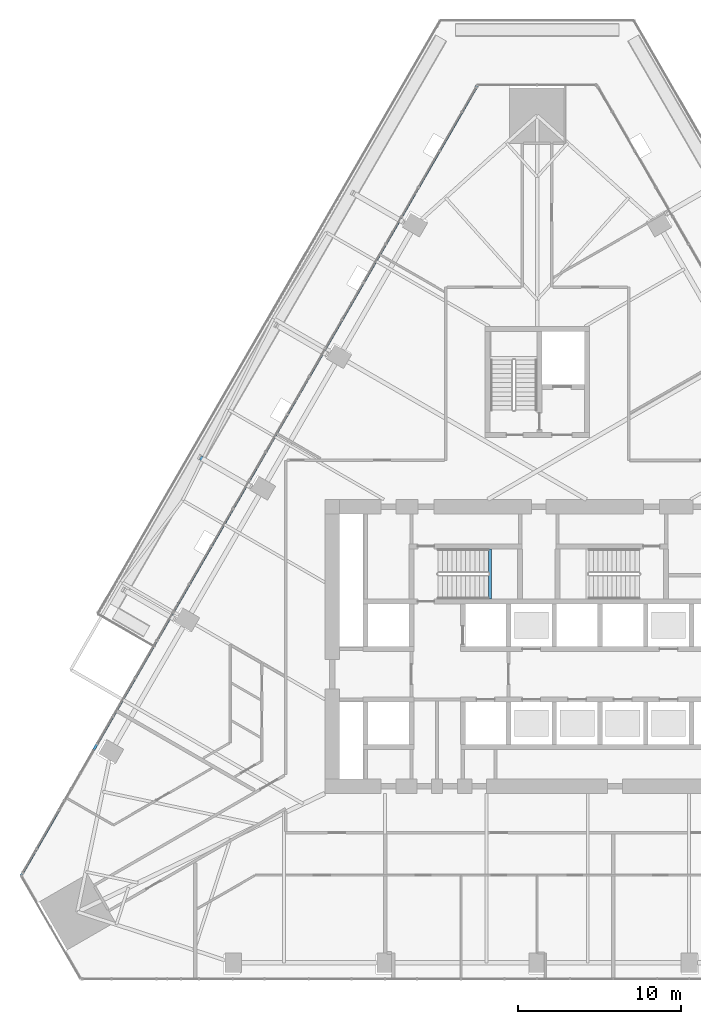
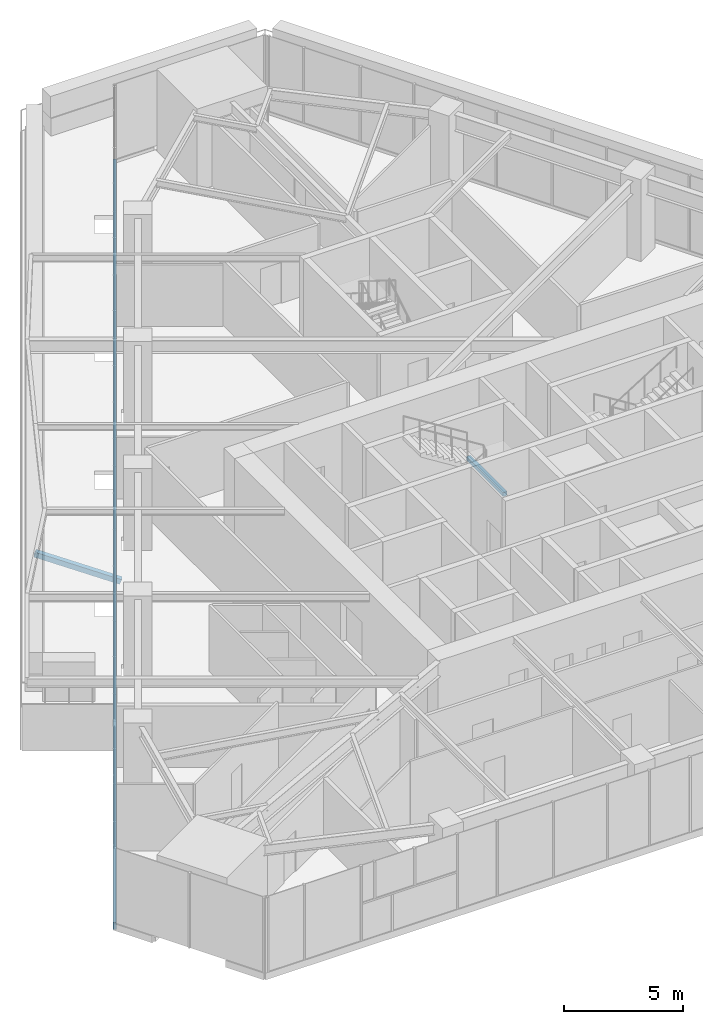
# One storey, part 5 of 26: 2 members, 1 beam, 1 element without a shape of its own.
"""IFC4 building model written with IfcOpenShell, lengths in metres."""

from ifc_helpers import new_model, si_unit, direction, frame, origin, origin_2d, place, context, subcontext, project, spatial, rectangle, hollow_rectangle, extrude, material, layer, layer_set, material_profile, profile_set, type_object, element, aggregate, save


model = new_model("IFC4")

# Units and contexts
model_context = context("Model", 3, precision=1e-05, world=origin(), true_north=direction((0.0, 1.0)))
body_context = subcontext(model_context, "Body", "Model", "MODEL_VIEW")
ifc_project = project(units=[si_unit("LENGTHUNIT", "METRE"), si_unit("AREAUNIT", "SQUARE_METRE"), si_unit("VOLUMEUNIT", "CUBIC_METRE"), si_unit("PLANEANGLEUNIT", "RADIAN"), si_unit("MASSUNIT", "GRAM", prefix="KILO")], contexts=[model_context])

# Site, building, storey
site_placement = place(None, origin())
site = spatial("IfcSite", under=ifc_project, at=site_placement, CompositionType="ELEMENT")
building_placement = place(site_placement, origin())
building = spatial("IfcBuilding", under=site, at=building_placement, Name="Firuza Gate Tower and Library", CompositionType="ELEMENT")
storey_placement = place(building_placement, frame((0.0, 0.0, 115.60009765625)))
storey = spatial("IfcBuildingStorey", under=building, at=storey_placement, Name="L26", CompositionType="ELEMENT", Elevation=115.60009765625)

# Curtain wall, member
ifc_material_1 = material(Name="Aluminium 6063-T6", Category="aluminium")
ifc_layer = layer(ifc_material_1, 0.14990234375)
ifc_layer_set = layer_set([ifc_layer], Name="Unitised curtain wall, offices")
curtain_wall_type = type_object("IfcCurtainWallType", Name="Unitised curtain wall, offices", PredefinedType="NOTDEFINED", material=ifc_layer_set)
curtain_wall_placement = place(storey_placement, origin())
curtain_wall = element("IfcCurtainWall", 1, at=curtain_wall_placement, inside=storey, type_object=curtain_wall_type, Name="CW1 L26 W face", PredefinedType="NOTDEFINED")
ifc_material_2 = material(Name="Aluminium 6063-T6", Category="aluminium")
ifc_material_profile_1 = material_profile(ifc_material_2, rectangle(XDim=0.14990234375, YDim=0.35009765625, at=origin_2d()))
ifc_profile_set_1 = profile_set([ifc_material_profile_1], Name="Aluminium 6063-T6")
member_type_1 = type_object("IfcMemberType", Name="Curtain wall transom 350x150", PredefinedType="USERDEFINED", material=ifc_profile_set_1)
member_1_placement = place(storey_placement, frame((71.356689453125, 109.38720703125, -0.025146484375), z_axis=(-0.499999989377, -0.866025409918, 0.0), x_axis=(0.866025409918, -0.499999989377, 0.0)))
member_1 = element("IfcMember", 2, at=member_1_placement, type_object=member_type_1, Name="Transom", ObjectType="TRANSOM", PredefinedType="USERDEFINED", context=body_context, shape_type="SweptSolid", body=[
    extrude(rectangle(XDim=0.14990234375, YDim=0.35009765625, at=origin_2d()), origin(), (0.0, 0.0, 1.0), 55.9169921875),
])
aggregate(curtain_wall, [member_1])

# Member
ifc_material_3 = material(Name="Steel S355", Category="steel")
ifc_material_profile_2 = material_profile(ifc_material_3, hollow_rectangle(XDim=0.25390625, YDim=0.25390625, WallThickness=0.01171875, at=origin_2d()))
ifc_profile_set_2 = profile_set([ifc_material_profile_2], Name="Steel S355")
member_type_2 = type_object("IfcMemberType", Name="HSS254x254x13 Tray strut", PredefinedType="BRACE", material=ifc_profile_set_2)
member_2_placement = place(storey_placement, frame((57.4482421875, 84.787109375, -1.670166015625), z_axis=(-0.807122458648, 0.466007352202, 0.362478253747), x_axis=(-0.500012057535, -0.866018442252, 0.0)))
element("IfcMember", 3, at=member_2_placement, inside=storey, type_object=member_type_2, Name="Tray strut L26 col:L25:W3", PredefinedType="BRACE", context=body_context, shape_type="SweptSolid", body=[
    extrude(hollow_rectangle(XDim=0.25390625, YDim=0.25390625, WallThickness=0.01171875, at=origin_2d()), origin(), (0.0, 0.0, 1.0), 3.86279296875),
])

# Beam
ifc_material_4 = material(Name="Concrete C35/45", Category="concrete")
ifc_material_profile_3 = material_profile(ifc_material_4, rectangle(XDim=0.199951171875, YDim=0.199951171875, at=origin_2d()))
ifc_profile_set_3 = profile_set([ifc_material_profile_3], Name="Concrete C35/45")
beam_type = type_object("IfcBeamType", Name="Stair landing bearer 200x200", PredefinedType="BEAM", material=ifc_profile_set_3)
beam_placement = place(storey_placement, frame((72.1201171875, 77.89990234375, 1.7998046875), z_axis=(0.0, 1.0, 0.0), x_axis=(-1.0, 0.0, 0.0)))
element("IfcBeam", 4, at=beam_placement, inside=storey, type_object=beam_type, Name="Landing bearer L26 stair 1", PredefinedType="BEAM", context=body_context, shape_type="SweptSolid", body=[
    extrude(rectangle(XDim=0.199951171875, YDim=0.199951171875, at=origin_2d()), origin(), (0.0, 0.0, 1.0), 3.080078125),
])

save(model, "model.ifc")
